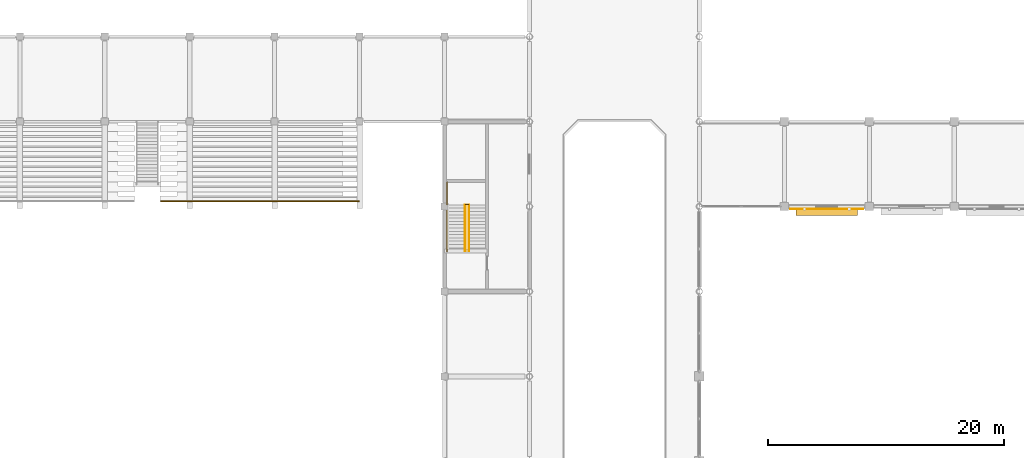
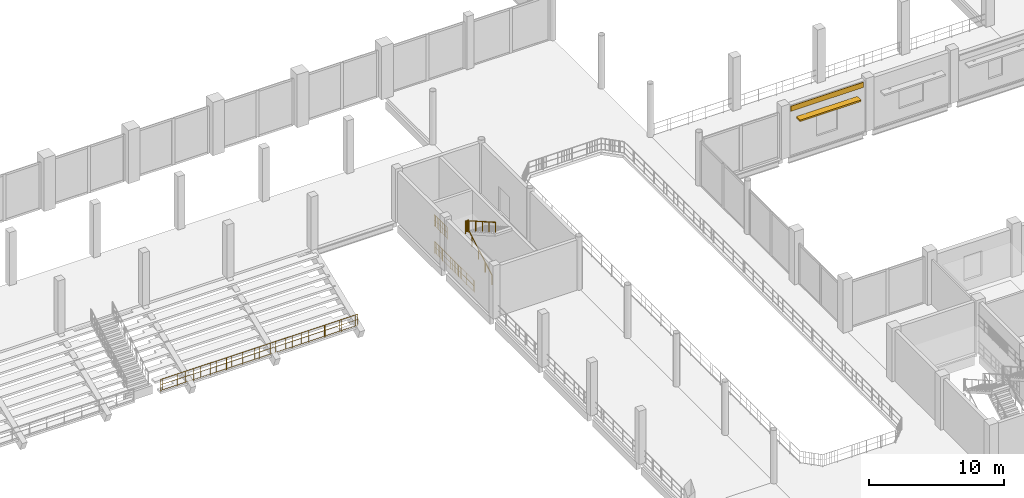
# One storey, part 93 of 99: 6 railings, 1 covering, 1 shading device.
"""IFC4 building model written with IfcOpenShell, lengths in metres."""

from ifc_helpers import new_model, si_unit, direction, frame, frame_2d, origin, origin_2d, place, context, subcontext, project, spatial, rectangle, circle, extrude, material, layer, layer_set, type_object, element, save


model = new_model("IFC4")

# Units and contexts
model_context = context("Model", 3, precision=1e-05, world=origin(), true_north=direction((0.0, 1.0)))
body_context = subcontext(model_context, "Body", "Model", "MODEL_VIEW")
ifc_project = project(units=[si_unit("LENGTHUNIT", "METRE"), si_unit("AREAUNIT", "SQUARE_METRE"), si_unit("VOLUMEUNIT", "CUBIC_METRE"), si_unit("PLANEANGLEUNIT", "RADIAN"), si_unit("MASSUNIT", "GRAM", prefix="KILO")], contexts=[model_context])

# Site, building, storey
site_placement = place(None, origin())
site = spatial("IfcSite", under=ifc_project, at=site_placement, CompositionType="ELEMENT")
building_placement = place(site_placement, origin())
building = spatial("IfcBuilding", under=site, at=building_placement, Name="Vesperath Aquatics Centre", CompositionType="ELEMENT")
storey_placement = place(building_placement, frame((0.0, 0.0, 5.39990234375)))
storey = spatial("IfcBuildingStorey", under=building, at=storey_placement, Name="L01", CompositionType="ELEMENT", Elevation=5.39990234375)

# Covering
ifc_material_1 = material(Name="Teal and ochre glazed ceramic majolica frieze", Category="ceramic")
ifc_layer = layer(ifc_material_1, 0.0400390625)
ifc_layer_set = layer_set([ifc_layer], Name="Teal and ochre glazed ceramic majolica frieze")
covering_type = type_object("IfcCoveringType", Name="CV-CLD01", PredefinedType="CLADDING", material=ifc_layer_set)
covering_placement = place(storey_placement, frame((122.89990234375, 64.590087890625, 3.989990234375), z_axis=(0.0, 0.0, 1.0), x_axis=(1.0, 0.0, 0.0)))
element("IfcCovering", 1, at=covering_placement, inside=storey, type_object=covering_type, Name="Majolica Ceramic Frieze CLD1 L01_S_17_09", PredefinedType="CLADDING", context=body_context, shape_type="SweptSolid", body=[
    extrude(rectangle(XDim=6.2001953125, YDim=0.0400390625, at=frame_2d((3.10009765625, 0.0))), origin(), (0.0, 0.0, 1.0), 0.47021484375),
])

# Railings
ifc_material_2 = material(Name="Powder-coated galvanized steel safety guard", Category="steel")
railing_type_1 = type_object("IfcRailingType", Name="RL-GRD01", PredefinedType="GUARDRAIL", material=ifc_material_2)
railing_1_placement = place(storey_placement, frame((95.3798828125, 64.97998046875, 2.400146484375)))
element("IfcRailing", 2, at=railing_1_placement, inside=storey, type_object=railing_type_1, Name="Stair ST8 Half-Landing Slot Guard GR02 L01", PredefinedType="GUARDRAIL", context=body_context, shape_type="SweptSolid", body=[
    extrude(circle(Radius=0.02392578125, at=origin_2d()), frame((0.0, 0.0, 1.0859375), z_axis=(1.0, 0.0, 0.0), x_axis=(0.0, 1.0, 0.0)), (0.0, 0.0, 1.0), 0.260009765625),
    extrude(circle(Radius=0.01611328125, at=origin_2d()), frame((0.0, 0.0, 0.10009765625), z_axis=(1.0, 0.0, 0.0), x_axis=(0.0, 1.0, 0.0)), (0.0, 0.0, 1.0), 0.260009765625),
    extrude(circle(Radius=0.01611328125, at=origin_2d()), frame((0.0, 0.0, 0.610595703125), z_axis=(1.0, 0.0, 0.0), x_axis=(0.0, 1.0, 0.0)), (0.0, 0.0, 1.0), 0.260009765625),
    extrude(circle(Radius=0.009033203125, at=origin_2d()), frame((0.086669921875, 0.0, 0.10009765625)), (0.0, 0.0, 1.0), 0.9619140625),
    extrude(circle(Radius=0.009033203125, at=origin_2d()), frame((0.17333984375, 0.0, 0.10009765625)), (0.0, 0.0, 1.0), 0.9619140625),
    extrude(circle(Radius=0.02197265625, at=origin_2d()), origin(), (0.0, 0.0, 1.0), 1.0859375),
    extrude(circle(Radius=0.02197265625, at=origin_2d()), frame((0.260009765625, 0.0, 0.0)), (0.0, 0.0, 1.0), 1.0859375),
])
railing_2_placement = place(storey_placement, frame((93.820068359375, 64.97998046875, 2.400146484375)))
element("IfcRailing", 3, at=railing_2_placement, inside=storey, type_object=railing_type_1, Name="Stair ST8 Half-Landing Wall Guard GR02 L01", PredefinedType="GUARDRAIL", context=body_context, shape_type="SweptSolid", body=[
    extrude(circle(Radius=0.02392578125, at=origin_2d()), frame((0.0, 0.0, 1.0859375), z_axis=(0.0, 1.0, 0.0), x_axis=(-1.0, 0.0, 0.0)), (0.0, 0.0, 1.0), 1.880126953125),
    extrude(circle(Radius=0.01611328125, at=origin_2d()), frame((0.0, 0.0, 0.10009765625), z_axis=(0.0, 1.0, 0.0), x_axis=(-1.0, 0.0, 0.0)), (0.0, 0.0, 1.0), 1.880126953125),
    extrude(circle(Radius=0.01611328125, at=origin_2d()), frame((0.0, 0.0, 0.610595703125), z_axis=(0.0, 1.0, 0.0), x_axis=(-1.0, 0.0, 0.0)), (0.0, 0.0, 1.0), 1.880126953125),
    extrude(circle(Radius=0.009033203125, at=origin_2d()), frame((0.0, 0.1044921875, 0.10009765625)), (0.0, 0.0, 1.0), 0.9619140625),
    extrude(circle(Radius=0.009033203125, at=origin_2d()), frame((0.0, 0.208984375, 0.10009765625)), (0.0, 0.0, 1.0), 0.9619140625),
    extrude(circle(Radius=0.009033203125, at=origin_2d()), frame((0.0, 0.3134765625, 0.10009765625)), (0.0, 0.0, 1.0), 0.9619140625),
    extrude(circle(Radius=0.009033203125, at=origin_2d()), frame((0.0, 0.417724609375, 0.10009765625)), (0.0, 0.0, 1.0), 0.9619140625),
    extrude(circle(Radius=0.009033203125, at=origin_2d()), frame((0.0, 0.522216796875, 0.10009765625)), (0.0, 0.0, 1.0), 0.9619140625),
    extrude(circle(Radius=0.009033203125, at=origin_2d()), frame((0.0, 0.626708984375, 0.10009765625)), (0.0, 0.0, 1.0), 0.9619140625),
    extrude(circle(Radius=0.009033203125, at=origin_2d()), frame((0.0, 0.731201171875, 0.10009765625)), (0.0, 0.0, 1.0), 0.9619140625),
    extrude(circle(Radius=0.009033203125, at=origin_2d()), frame((0.0, 0.835693359375, 0.10009765625)), (0.0, 0.0, 1.0), 0.9619140625),
    extrude(circle(Radius=0.009033203125, at=origin_2d()), frame((0.0, 0.93994140625, 0.10009765625)), (0.0, 0.0, 1.0), 0.9619140625),
    extrude(circle(Radius=0.009033203125, at=origin_2d()), frame((0.0, 1.04443359375, 0.10009765625)), (0.0, 0.0, 1.0), 0.9619140625),
    extrude(circle(Radius=0.009033203125, at=origin_2d()), frame((0.0, 1.14892578125, 0.10009765625)), (0.0, 0.0, 1.0), 0.9619140625),
    extrude(circle(Radius=0.009033203125, at=origin_2d()), frame((0.0, 1.25341796875, 0.10009765625)), (0.0, 0.0, 1.0), 0.9619140625),
    extrude(circle(Radius=0.009033203125, at=origin_2d()), frame((0.0, 1.35791015625, 0.10009765625)), (0.0, 0.0, 1.0), 0.9619140625),
    extrude(circle(Radius=0.009033203125, at=origin_2d()), frame((0.0, 1.46240234375, 0.10009765625)), (0.0, 0.0, 1.0), 0.9619140625),
    extrude(circle(Radius=0.009033203125, at=origin_2d()), frame((0.0, 1.56689453125, 0.10009765625)), (0.0, 0.0, 1.0), 0.9619140625),
    extrude(circle(Radius=0.009033203125, at=origin_2d()), frame((0.0, 1.671142578125, 0.10009765625)), (0.0, 0.0, 1.0), 0.9619140625),
    extrude(circle(Radius=0.009033203125, at=origin_2d()), frame((0.0, 1.775634765625, 0.10009765625)), (0.0, 0.0, 1.0), 0.9619140625),
    extrude(circle(Radius=0.02197265625, at=origin_2d()), origin(), (0.0, 0.0, 1.0), 1.0859375),
    extrude(circle(Radius=0.02197265625, at=origin_2d()), frame((0.0, 0.93994140625, 0.0)), (0.0, 0.0, 1.0), 1.0859375),
    extrude(circle(Radius=0.02197265625, at=origin_2d()), frame((0.0, 1.880126953125, 0.0)), (0.0, 0.0, 1.0), 1.0859375),
])
railing_3_placement = place(storey_placement, frame((93.820068359375, 61.0, 0.0)))
element("IfcRailing", 4, at=railing_3_placement, inside=storey, type_object=railing_type_1, Name="Stair ST8 Shaft Side Guard GR02 L01", PredefinedType="GUARDRAIL", context=body_context, shape_type="SweptSolid", body=[
    extrude(circle(Radius=0.02392578125, at=origin_2d()), frame((0.0, 0.0, 1.0859375), z_axis=(0.0, 1.0, 0.0), x_axis=(-1.0, 0.0, 0.0)), (0.0, 0.0, 1.0), 5.840087890625),
    extrude(circle(Radius=0.01611328125, at=origin_2d()), frame((0.0, 0.0, 0.10009765625), z_axis=(0.0, 1.0, 0.0), x_axis=(-1.0, 0.0, 0.0)), (0.0, 0.0, 1.0), 5.840087890625),
    extrude(circle(Radius=0.01611328125, at=origin_2d()), frame((0.0, 0.0, 0.610595703125), z_axis=(0.0, 1.0, 0.0), x_axis=(-1.0, 0.0, 0.0)), (0.0, 0.0, 1.0), 5.840087890625),
    extrude(circle(Radius=0.009033203125, at=origin_2d()), frame((0.0, 0.108154296875, 0.10009765625)), (0.0, 0.0, 1.0), 0.9619140625),
    extrude(circle(Radius=0.009033203125, at=origin_2d()), frame((0.0, 0.324462890625, 0.10009765625)), (0.0, 0.0, 1.0), 0.9619140625),
    extrude(circle(Radius=0.009033203125, at=origin_2d()), frame((0.0, 0.540771484375, 0.10009765625)), (0.0, 0.0, 1.0), 0.9619140625),
    extrude(circle(Radius=0.009033203125, at=origin_2d()), frame((0.0, 0.757080078125, 0.10009765625)), (0.0, 0.0, 1.0), 0.9619140625),
    extrude(circle(Radius=0.009033203125, at=origin_2d()), frame((0.0, 0.973388671875, 0.10009765625)), (0.0, 0.0, 1.0), 0.9619140625),
    extrude(circle(Radius=0.009033203125, at=origin_2d()), frame((0.0, 1.189697265625, 0.10009765625)), (0.0, 0.0, 1.0), 0.9619140625),
    extrude(circle(Radius=0.009033203125, at=origin_2d()), frame((0.0, 1.406005859375, 0.10009765625)), (0.0, 0.0, 1.0), 0.9619140625),
    extrude(circle(Radius=0.009033203125, at=origin_2d()), frame((0.0, 1.622314453125, 0.10009765625)), (0.0, 0.0, 1.0), 0.9619140625),
    extrude(circle(Radius=0.009033203125, at=origin_2d()), frame((0.0, 1.838623046875, 0.10009765625)), (0.0, 0.0, 1.0), 0.9619140625),
    extrude(circle(Radius=0.009033203125, at=origin_2d()), frame((0.0, 2.054931640625, 0.10009765625)), (0.0, 0.0, 1.0), 0.9619140625),
    extrude(circle(Radius=0.009033203125, at=origin_2d()), frame((0.0, 2.271240234375, 0.10009765625)), (0.0, 0.0, 1.0), 0.9619140625),
    extrude(circle(Radius=0.009033203125, at=origin_2d()), frame((0.0, 2.487548828125, 0.10009765625)), (0.0, 0.0, 1.0), 0.9619140625),
    extrude(circle(Radius=0.009033203125, at=origin_2d()), frame((0.0, 2.703857421875, 0.10009765625)), (0.0, 0.0, 1.0), 0.9619140625),
    extrude(circle(Radius=0.009033203125, at=origin_2d()), frame((0.0, 2.919921875, 0.10009765625)), (0.0, 0.0, 1.0), 0.9619140625),
    extrude(circle(Radius=0.009033203125, at=origin_2d()), frame((0.0, 3.13623046875, 0.10009765625)), (0.0, 0.0, 1.0), 0.9619140625),
    extrude(circle(Radius=0.009033203125, at=origin_2d()), frame((0.0, 3.3525390625, 0.10009765625)), (0.0, 0.0, 1.0), 0.9619140625),
    extrude(circle(Radius=0.009033203125, at=origin_2d()), frame((0.0, 3.56884765625, 0.10009765625)), (0.0, 0.0, 1.0), 0.9619140625),
    extrude(circle(Radius=0.009033203125, at=origin_2d()), frame((0.0, 3.78515625, 0.10009765625)), (0.0, 0.0, 1.0), 0.9619140625),
    extrude(circle(Radius=0.009033203125, at=origin_2d()), frame((0.0, 4.00146484375, 0.10009765625)), (0.0, 0.0, 1.0), 0.9619140625),
    extrude(circle(Radius=0.009033203125, at=origin_2d()), frame((0.0, 4.2177734375, 0.10009765625)), (0.0, 0.0, 1.0), 0.9619140625),
    extrude(circle(Radius=0.009033203125, at=origin_2d()), frame((0.0, 4.43408203125, 0.10009765625)), (0.0, 0.0, 1.0), 0.9619140625),
    extrude(circle(Radius=0.009033203125, at=origin_2d()), frame((0.0, 4.650390625, 0.10009765625)), (0.0, 0.0, 1.0), 0.9619140625),
    extrude(circle(Radius=0.009033203125, at=origin_2d()), frame((0.0, 4.86669921875, 0.10009765625)), (0.0, 0.0, 1.0), 0.9619140625),
    extrude(circle(Radius=0.009033203125, at=origin_2d()), frame((0.0, 5.0830078125, 0.10009765625)), (0.0, 0.0, 1.0), 0.9619140625),
    extrude(circle(Radius=0.009033203125, at=origin_2d()), frame((0.0, 5.29931640625, 0.10009765625)), (0.0, 0.0, 1.0), 0.9619140625),
    extrude(circle(Radius=0.009033203125, at=origin_2d()), frame((0.0, 5.515625, 0.10009765625)), (0.0, 0.0, 1.0), 0.9619140625),
    extrude(circle(Radius=0.009033203125, at=origin_2d()), frame((0.0, 5.73193359375, 0.10009765625)), (0.0, 0.0, 1.0), 0.9619140625),
    extrude(circle(Radius=0.02197265625, at=origin_2d()), origin(), (0.0, 0.0, 1.0), 1.0859375),
    extrude(circle(Radius=0.02197265625, at=origin_2d()), frame((0.0, 1.16796875, 0.0)), (0.0, 0.0, 1.0), 1.0859375),
    extrude(circle(Radius=0.02197265625, at=origin_2d()), frame((0.0, 2.3359375, 0.0)), (0.0, 0.0, 1.0), 1.0859375),
    extrude(circle(Radius=0.02197265625, at=origin_2d()), frame((0.0, 3.504150390625, 0.0)), (0.0, 0.0, 1.0), 1.0859375),
    extrude(circle(Radius=0.02197265625, at=origin_2d()), frame((0.0, 4.672119140625, 0.0)), (0.0, 0.0, 1.0), 1.0859375),
    extrude(circle(Radius=0.02197265625, at=origin_2d()), frame((0.0, 5.840087890625, 0.0)), (0.0, 0.0, 1.0), 1.0859375),
])
railing_4_placement = place(storey_placement, frame((69.550048828125, 65.25, -3.0)))
element("IfcRailing", 5, at=railing_4_placement, inside=storey, type_object=railing_type_1, Name="Safety Guardrail GR02 GRD_L01_BOWL_N4", PredefinedType="GUARDRAIL", context=body_context, shape_type="SweptSolid", body=[
    extrude(circle(Radius=0.02392578125, at=origin_2d()), frame((0.0, 0.0, 1.0859375), z_axis=(1.0, 0.0, 0.0), x_axis=(0.0, 1.0, 0.0)), (0.0, 0.0, 1.0), 16.800048828125),
    extrude(circle(Radius=0.01611328125, at=origin_2d()), frame((0.0, 0.0, 0.10009765625), z_axis=(1.0, 0.0, 0.0), x_axis=(0.0, 1.0, 0.0)), (0.0, 0.0, 1.0), 16.800048828125),
    extrude(circle(Radius=0.01611328125, at=origin_2d()), frame((0.0, 0.0, 0.610595703125), z_axis=(1.0, 0.0, 0.0), x_axis=(0.0, 1.0, 0.0)), (0.0, 0.0, 1.0), 16.800048828125),
    extrude(circle(Radius=0.009033203125, at=origin_2d()), frame((0.10986328125, 0.0, 0.10009765625)), (0.0, 0.0, 1.0), 0.9619140625),
    extrude(circle(Radius=0.009033203125, at=origin_2d()), frame((0.7685546875, 0.0, 0.10009765625)), (0.0, 0.0, 1.0), 0.9619140625),
    extrude(circle(Radius=0.009033203125, at=origin_2d()), frame((1.427490234375, 0.0, 0.10009765625)), (0.0, 0.0, 1.0), 0.9619140625),
    extrude(circle(Radius=0.009033203125, at=origin_2d()), frame((2.086181640625, 0.0, 0.10009765625)), (0.0, 0.0, 1.0), 0.9619140625),
    extrude(circle(Radius=0.009033203125, at=origin_2d()), frame((2.7451171875, 0.0, 0.10009765625)), (0.0, 0.0, 1.0), 0.9619140625),
    extrude(circle(Radius=0.009033203125, at=origin_2d()), frame((3.404052734375, 0.0, 0.10009765625)), (0.0, 0.0, 1.0), 0.9619140625),
    extrude(circle(Radius=0.009033203125, at=origin_2d()), frame((4.062744140625, 0.0, 0.10009765625)), (0.0, 0.0, 1.0), 0.9619140625),
    extrude(circle(Radius=0.009033203125, at=origin_2d()), frame((4.7216796875, 0.0, 0.10009765625)), (0.0, 0.0, 1.0), 0.9619140625),
    extrude(circle(Radius=0.009033203125, at=origin_2d()), frame((5.38037109375, 0.0, 0.10009765625)), (0.0, 0.0, 1.0), 0.9619140625),
    extrude(circle(Radius=0.009033203125, at=origin_2d()), frame((6.039306640625, 0.0, 0.10009765625)), (0.0, 0.0, 1.0), 0.9619140625),
    extrude(circle(Radius=0.009033203125, at=origin_2d()), frame((6.697998046875, 0.0, 0.10009765625)), (0.0, 0.0, 1.0), 0.9619140625),
    extrude(circle(Radius=0.009033203125, at=origin_2d()), frame((7.35693359375, 0.0, 0.10009765625)), (0.0, 0.0, 1.0), 0.9619140625),
    extrude(circle(Radius=0.009033203125, at=origin_2d()), frame((8.015625, 0.0, 0.10009765625)), (0.0, 0.0, 1.0), 0.9619140625),
    extrude(circle(Radius=0.009033203125, at=origin_2d()), frame((8.674560546875, 0.0, 0.10009765625)), (0.0, 0.0, 1.0), 0.9619140625),
    extrude(circle(Radius=0.009033203125, at=origin_2d()), frame((9.333251953125, 0.0, 0.10009765625)), (0.0, 0.0, 1.0), 0.9619140625),
    extrude(circle(Radius=0.009033203125, at=origin_2d()), frame((9.9921875, 0.0, 0.10009765625)), (0.0, 0.0, 1.0), 0.9619140625),
    extrude(circle(Radius=0.009033203125, at=origin_2d()), frame((10.651123046875, 0.0, 0.10009765625)), (0.0, 0.0, 1.0), 0.9619140625),
    extrude(circle(Radius=0.009033203125, at=origin_2d()), frame((11.309814453125, 0.0, 0.10009765625)), (0.0, 0.0, 1.0), 0.9619140625),
    extrude(circle(Radius=0.009033203125, at=origin_2d()), frame((11.96875, 0.0, 0.10009765625)), (0.0, 0.0, 1.0), 0.9619140625),
    extrude(circle(Radius=0.009033203125, at=origin_2d()), frame((12.62744140625, 0.0, 0.10009765625)), (0.0, 0.0, 1.0), 0.9619140625),
    extrude(circle(Radius=0.009033203125, at=origin_2d()), frame((13.286376953125, 0.0, 0.10009765625)), (0.0, 0.0, 1.0), 0.9619140625),
    extrude(circle(Radius=0.009033203125, at=origin_2d()), frame((13.945068359375, 0.0, 0.10009765625)), (0.0, 0.0, 1.0), 0.9619140625),
    extrude(circle(Radius=0.009033203125, at=origin_2d()), frame((14.60400390625, 0.0, 0.10009765625)), (0.0, 0.0, 1.0), 0.9619140625),
    extrude(circle(Radius=0.009033203125, at=origin_2d()), frame((15.2626953125, 0.0, 0.10009765625)), (0.0, 0.0, 1.0), 0.9619140625),
    extrude(circle(Radius=0.009033203125, at=origin_2d()), frame((15.921630859375, 0.0, 0.10009765625)), (0.0, 0.0, 1.0), 0.9619140625),
    extrude(circle(Radius=0.009033203125, at=origin_2d()), frame((16.580322265625, 0.0, 0.10009765625)), (0.0, 0.0, 1.0), 0.9619140625),
    extrude(circle(Radius=0.02197265625, at=origin_2d()), origin(), (0.0, 0.0, 1.0), 1.0859375),
    extrude(circle(Radius=0.02197265625, at=origin_2d()), frame((1.39990234375, 0.0, 0.0)), (0.0, 0.0, 1.0), 1.0859375),
    extrude(circle(Radius=0.02197265625, at=origin_2d()), frame((2.800048828125, 0.0, 0.0)), (0.0, 0.0, 1.0), 1.0859375),
    extrude(circle(Radius=0.02197265625, at=origin_2d()), frame((4.199951171875, 0.0, 0.0)), (0.0, 0.0, 1.0), 1.0859375),
    extrude(circle(Radius=0.02197265625, at=origin_2d()), frame((5.60009765625, 0.0, 0.0)), (0.0, 0.0, 1.0), 1.0859375),
    extrude(circle(Radius=0.02197265625, at=origin_2d()), frame((7.0, 0.0, 0.0)), (0.0, 0.0, 1.0), 1.0859375),
    extrude(circle(Radius=0.02197265625, at=origin_2d()), frame((8.39990234375, 0.0, 0.0)), (0.0, 0.0, 1.0), 1.0859375),
    extrude(circle(Radius=0.02197265625, at=origin_2d()), frame((9.800048828125, 0.0, 0.0)), (0.0, 0.0, 1.0), 1.0859375),
    extrude(circle(Radius=0.02197265625, at=origin_2d()), frame((11.199951171875, 0.0, 0.0)), (0.0, 0.0, 1.0), 1.0859375),
    extrude(circle(Radius=0.02197265625, at=origin_2d()), frame((12.60009765625, 0.0, 0.0)), (0.0, 0.0, 1.0), 1.0859375),
    extrude(circle(Radius=0.02197265625, at=origin_2d()), frame((14.0, 0.0, 0.0)), (0.0, 0.0, 1.0), 1.0859375),
    extrude(circle(Radius=0.02197265625, at=origin_2d()), frame((15.400146484375, 0.0, 0.0)), (0.0, 0.0, 1.0), 1.0859375),
    extrude(circle(Radius=0.02197265625, at=origin_2d()), frame((16.800048828125, 0.0, 0.0)), (0.0, 0.0, 1.0), 1.0859375),
])
ifc_material_3 = material(Name="Brushed stainless steel tubular handrail", Category="steel")
railing_type_2 = type_object("IfcRailingType", Name="RL-HND01", PredefinedType="HANDRAIL", material=ifc_material_3)
railing_5_placement = place(storey_placement, frame((95.35009765625, 61.02001953125, 0.16015625)))
element("IfcRailing", 6, at=railing_5_placement, inside=storey, type_object=railing_type_2, Name="Stair ST8 Flight 1 Handrail HR01 L01", PredefinedType="HANDRAIL", context=body_context, shape_type="SweptSolid", body=[
    extrude(circle(Radius=0.02392578125, at=origin_2d()), frame((0.0, 0.0, 0.8759765625), z_axis=(0.0, 0.868239814368, 0.496144761885), x_axis=(-1.0, 0.0, 0.0)), (0.0, 0.0, 1.0), 4.514892578125),
    extrude(circle(Radius=0.02197265625, at=origin_2d()), origin(), (0.0, 0.0, 1.0), 0.8759765625),
    extrude(circle(Radius=0.02197265625, at=origin_2d()), frame((0.0, 0.97998046875, 0.56005859375)), (0.0, 0.0, 1.0), 0.8759765625),
    extrude(circle(Radius=0.02197265625, at=origin_2d()), frame((0.0, 1.9599609375, 1.1201171875)), (0.0, 0.0, 1.0), 0.8759765625),
    extrude(circle(Radius=0.02197265625, at=origin_2d()), frame((0.0, 2.93994140625, 1.679931640625)), (0.0, 0.0, 1.0), 0.8759765625),
    extrude(circle(Radius=0.02197265625, at=origin_2d()), frame((0.0, 3.919921875, 2.239990234375)), (0.0, 0.0, 1.0), 0.8759765625),
])
railing_6_placement = place(storey_placement, frame((95.669921875, 64.93994140625, 2.56005859375)))
element("IfcRailing", 7, at=railing_6_placement, inside=storey, type_object=railing_type_2, Name="Stair ST8 Flight 2 Handrail HR01 L01", PredefinedType="HANDRAIL", context=body_context, shape_type="SweptSolid", body=[
    extrude(circle(Radius=0.02392578125, at=origin_2d()), frame((0.0, 0.0, 0.8759765625), z_axis=(0.0, -0.868239814368, 0.496144761885), x_axis=(1.0, 0.0, 0.0)), (0.0, 0.0, 1.0), 4.514892578125),
    extrude(circle(Radius=0.02197265625, at=origin_2d()), origin(), (0.0, 0.0, 1.0), 0.8759765625),
    extrude(circle(Radius=0.02197265625, at=origin_2d()), frame((0.0, -0.97998046875, 0.56005859375)), (0.0, 0.0, 1.0), 0.8759765625),
    extrude(circle(Radius=0.02197265625, at=origin_2d()), frame((0.0, -1.9599609375, 1.1201171875)), (0.0, 0.0, 1.0), 0.8759765625),
    extrude(circle(Radius=0.02197265625, at=origin_2d()), frame((0.0, -2.93994140625, 1.679931640625)), (0.0, 0.0, 1.0), 0.8759765625),
    extrude(circle(Radius=0.02197265625, at=origin_2d()), frame((0.0, -3.919921875, 2.239990234375)), (0.0, 0.0, 1.0), 0.8759765625),
])

# Shading device
ifc_material_4 = material(Name="Anodised bronze aluminium solar brise-soleil", Category="aluminium")
shading_device_type = type_object("IfcShadingDeviceType", Name="SH-LVR01", PredefinedType="JALOUSIE", material=ifc_material_4)
shading_device_placement = place(storey_placement, frame((126.0, 64.3349609375, 3.2001953125), z_axis=(0.0, 0.0, 1.0), x_axis=(1.0, 0.0, 0.0)))
element("IfcShadingDevice", 8, at=shading_device_placement, inside=storey, type_object=shading_device_type, Name="Bronze Solar Brise-Soleil LV01 L01_S_17_09", PredefinedType="JALOUSIE", context=body_context, shape_type="SweptSolid", body=[
    extrude(rectangle(XDim=5.199951171875, YDim=0.550048828125, at=origin_2d()), origin(), (0.0, 0.0, 1.0), 0.139892578125),
])

save(model, "model.ifc")
